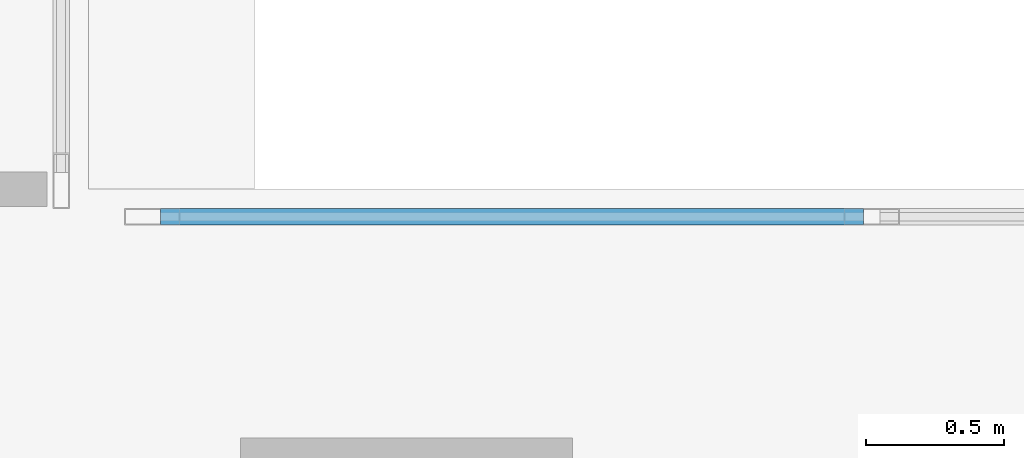
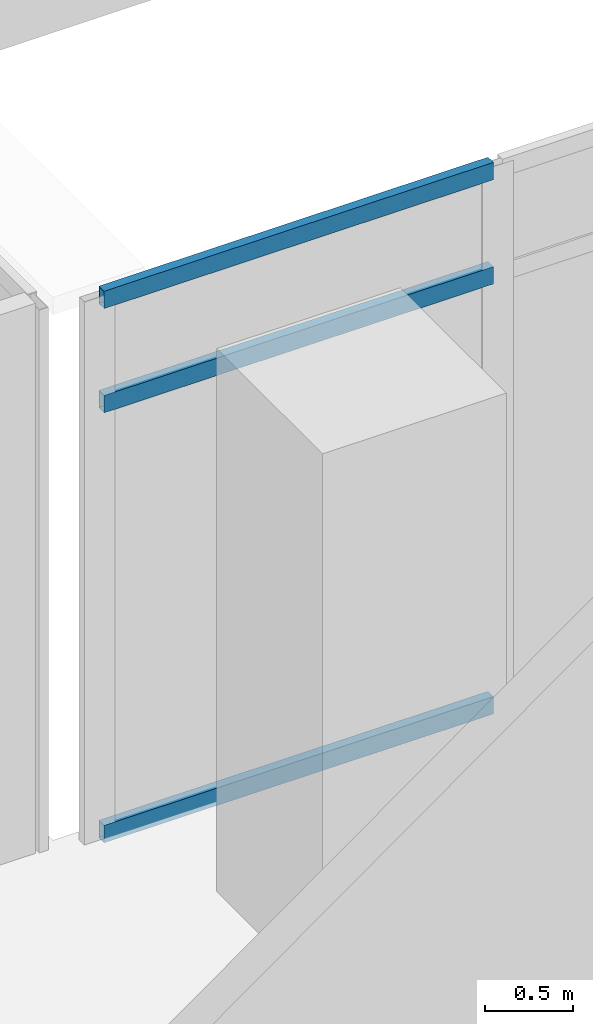
# One storey, part 9 of 40: 3 members, 1 element without a shape of its own.
"""IFC4 building model written with IfcOpenShell, lengths in metres."""

from ifc_helpers import new_model, si_unit, direction, frame, origin, origin_2d, place, context, subcontext, project, spatial, hollow_rectangle, extrude, source, transform, mapped, material, material_profile, profile_set, type_object, element, aggregate, save


model = new_model("IFC4")

# Units and contexts
model_context = context("Model", 3, precision=1e-05, world=origin(), true_north=direction((0.0, 1.0)))
body_context = subcontext(model_context, "Body", "Model", "MODEL_VIEW")
ifc_project = project(units=[si_unit("LENGTHUNIT", "METRE"), si_unit("AREAUNIT", "SQUARE_METRE"), si_unit("VOLUMEUNIT", "CUBIC_METRE"), si_unit("PLANEANGLEUNIT", "RADIAN"), si_unit("MASSUNIT", "GRAM", prefix="KILO")], contexts=[model_context])

# Site, building, storey
site_placement = place(None, origin())
site = spatial("IfcSite", under=ifc_project, at=site_placement, CompositionType="ELEMENT")
building_placement = place(site_placement, origin())
building = spatial("IfcBuilding", under=site, at=building_placement, Name="Khomas Fold Tower", CompositionType="ELEMENT")
storey_placement = place(building_placement, frame((0.0, 0.0, 180.699951171875)))
storey = spatial("IfcBuildingStorey", under=building, at=storey_placement, Name="L39", CompositionType="ELEMENT", Elevation=180.699951171875)

# Curtain wall, members
ifc_material_1 = material(Name="Aluminium framed double glazing", Category="aluminium")
curtain_wall_type = type_object("IfcCurtainWallType", Name="Notch glazing GN-CW", PredefinedType="NOTDEFINED", material=ifc_material_1)
curtain_wall_placement = place(storey_placement, origin())
curtain_wall = element("IfcCurtainWall", 1, at=curtain_wall_placement, inside=storey, type_object=curtain_wall_type, Name="Notch glazing run", PredefinedType="NOTDEFINED")
ifc_material_2 = material(Name="Aluminium", Category="aluminium")
ifc_material_profile = material_profile(ifc_material_2, hollow_rectangle(XDim=0.06005859375, YDim=0.1201171875, WallThickness=0.00390625, at=origin_2d()), Name="Notch glazing transom GN-CW-T")
ifc_profile_set = profile_set([ifc_material_profile], Name="Aluminium")
member_type = type_object("IfcMemberType", Name="Notch glazing transom GN-CW-T", PredefinedType="USERDEFINED", material=ifc_profile_set)
shared_shape = source(origin(), body_context, "Body", "SweptSolid", [
    extrude(hollow_rectangle(XDim=0.06005859375, YDim=0.1201171875, WallThickness=0.00390625, at=origin_2d()), origin(), (0.0, 0.0, 1.0), 2.543212890625),
])
member_1_placement = place(storey_placement, frame((36.1533203125, 32.89990234375, 0.030029296875), z_axis=(-1.0, 0.0, 0.0), x_axis=(0.0, -1.0, 0.0)))
member_1 = element("IfcMember", 2, at=member_1_placement, type_object=member_type, Name="GN-CW transom 3.1", ObjectType="TRANSOM", PredefinedType="USERDEFINED", context=body_context, shape_type="MappedRepresentation", body=[
    mapped(shared_shape, transform((0.0, 0.0, 0.0))),
])
member_2_placement = place(storey_placement, frame((36.1533203125, 32.89990234375, 3.0), z_axis=(-1.0, 0.0, 0.0), x_axis=(0.0, -1.0, 0.0)))
member_2 = element("IfcMember", 3, at=member_2_placement, type_object=member_type, Name="GN-CW transom 3.2", ObjectType="TRANSOM", PredefinedType="USERDEFINED", context=body_context, shape_type="MappedRepresentation", body=[
    mapped(shared_shape, transform((0.0, 0.0, 0.0))),
])
member_3_placement = place(storey_placement, frame((36.1533203125, 32.89990234375, 3.719970703125), z_axis=(-1.0, 0.0, 0.0), x_axis=(0.0, -1.0, 0.0)))
member_3 = element("IfcMember", 4, at=member_3_placement, type_object=member_type, Name="GN-CW transom 3.3", ObjectType="TRANSOM", PredefinedType="USERDEFINED", context=body_context, shape_type="MappedRepresentation", body=[
    mapped(shared_shape, transform((0.0, 0.0, 0.0))),
])
aggregate(curtain_wall, [member_1, member_2, member_3])

save(model, "model.ifc")
